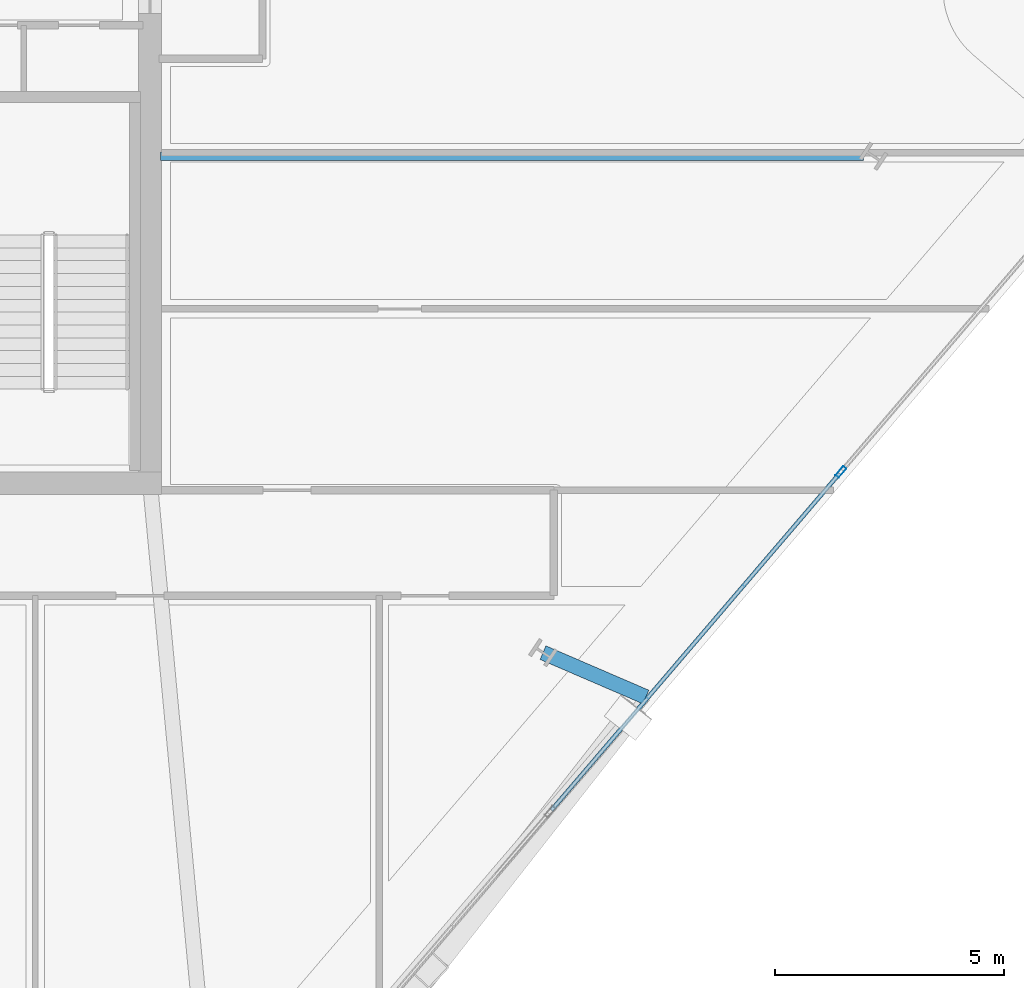
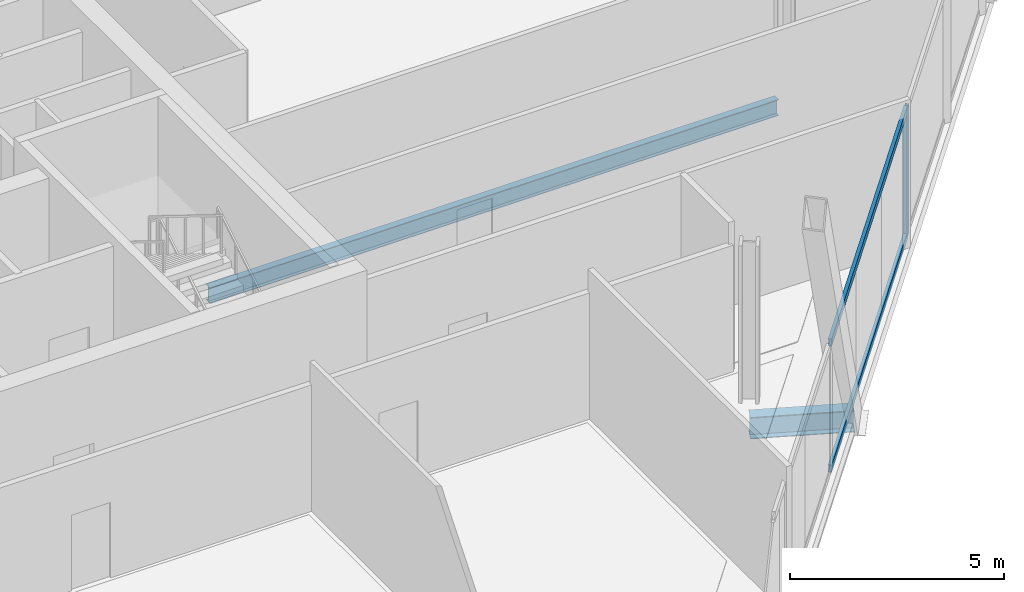
# One storey, part 9 of 26: 3 members, 2 beams, 1 element without a shape of its own.
"""IFC4 building model written with IfcOpenShell, lengths in metres."""

from ifc_helpers import new_model, si_unit, direction, frame, origin, origin_2d, place, context, subcontext, project, spatial, hollow_rectangle, i_section, extrude, material, material_profile, profile_set, type_object, element, aggregate, save


model = new_model("IFC4")

# Units and contexts
model_context = context("Model", 3, precision=1e-05, world=origin(), true_north=direction((0.0, 1.0)))
body_context = subcontext(model_context, "Body", "Model", "MODEL_VIEW")
ifc_project = project(units=[si_unit("LENGTHUNIT", "METRE"), si_unit("AREAUNIT", "SQUARE_METRE"), si_unit("VOLUMEUNIT", "CUBIC_METRE"), si_unit("PLANEANGLEUNIT", "RADIAN"), si_unit("MASSUNIT", "GRAM", prefix="KILO")], contexts=[model_context])

# Site, building, storey
site_placement = place(None, origin())
site = spatial("IfcSite", under=ifc_project, at=site_placement, CompositionType="ELEMENT")
building_placement = place(site_placement, origin())
building = spatial("IfcBuilding", under=site, at=building_placement, Name="Haldenkirk Collegiate Tower", CompositionType="ELEMENT")
storey_placement = place(building_placement, frame((0.0, 0.0, 193.949951171875)))
storey = spatial("IfcBuildingStorey", under=building, at=storey_placement, Name="L48", CompositionType="ELEMENT", Elevation=193.949951171875)

# Beams
ifc_material_1 = material(Name="Steel ASTM A992 Grade 50", Category="steel")
ifc_material_profile_1 = material_profile(ifc_material_1, i_section(OverallWidth=0.324951171875, OverallDepth=0.615966796875, WebThickness=0.013916015625, FlangeThickness=0.021484375, at=origin_2d()), Name="W24X117")
ifc_profile_set_1 = profile_set([ifc_material_profile_1], Name="Steel ASTM A992 Grade 50")
beam_type_1 = type_object("IfcBeamType", Name="BM-GIRDER-W24X117", PredefinedType="BEAM", material=ifc_profile_set_1)
beam_1_placement = place(storey_placement, frame((53.564453125, 14.30810546875, -0.718017578125), z_axis=(0.918320954013, -0.395836614552, 0.0), x_axis=(0.395836614552, 0.918320954013, 0.0)))
element("IfcBeam", 1, at=beam_1_placement, inside=storey, type_object=beam_type_1, Name="L48 facade lookout girder 06", PredefinedType="BEAM", context=body_context, shape_type="SweptSolid", body=[
    extrude(i_section(OverallWidth=0.324951171875, OverallDepth=0.615966796875, WebThickness=0.013916015625, FlangeThickness=0.021484375, at=origin_2d()), origin(), (0.0, 0.0, 1.0), 2.4423828125),
])
ifc_material_profile_2 = material_profile(ifc_material_1, i_section(OverallWidth=0.18994140625, OverallDepth=0.45703125, WebThickness=0.009033203125, FlangeThickness=0.014404296875, at=origin_2d()), Name="W18X50")
ifc_profile_set_2 = profile_set([ifc_material_profile_2], Name="Steel ASTM A992 Grade 50")
beam_type_2 = type_object("IfcBeamType", Name="BM-JOIST-W18X50", PredefinedType="JOIST", material=ifc_profile_set_2)
beam_2_placement = place(storey_placement, frame((60.548828125, 25.12646484375, -0.638427734375), z_axis=(-1.0, 0.0, 0.0), x_axis=(0.0, -1.0, 0.0)))
element("IfcBeam", 2, at=beam_2_placement, inside=storey, type_object=beam_type_2, Name="L48 composite floor joist 07", PredefinedType="JOIST", context=body_context, shape_type="SweptSolid", body=[
    extrude(i_section(OverallWidth=0.18994140625, OverallDepth=0.45703125, WebThickness=0.009033203125, FlangeThickness=0.014404296875, at=origin_2d()), origin(), (0.0, 0.0, 1.0), 15.31884765625),
])

# Curtain wall, members
ifc_material_2 = material(Name="Anodised architectural bronze aluminium", Category="aluminium")
curtain_wall_type = type_object("IfcCurtainWallType", Name="CW-SYS4-SKYGARDEN", PredefinedType="USERDEFINED", material=ifc_material_2)
curtain_wall_placement = place(storey_placement, origin())
curtain_wall = element("IfcCurtainWall", 3, at=curtain_wall_placement, inside=storey, type_object=curtain_wall_type, Name="L48 Sky-garden tall bronze curtain wall", ObjectType="UNITISED CURTAIN WALL", PredefinedType="USERDEFINED")
ifc_material_profile_3 = material_profile(ifc_material_2, hollow_rectangle(XDim=0.090087890625, YDim=0.260009765625, WallThickness=0.0048828125, at=origin_2d()), Name="CW-MUL-04")
ifc_profile_set_3 = profile_set([ifc_material_profile_3], Name="Anodised architectural bronze aluminium")
member_type_1 = type_object("IfcMemberType", Name="CW-MUL-04", PredefinedType="MULLION", material=ifc_profile_set_3)
member_1_placement = place(storey_placement, frame((60.05810546875, 18.247802734375, 0.0), z_axis=(0.0, 0.0, 1.0), x_axis=(0.759836934452, -0.650113707779, 0.0)))
member_1 = element("IfcMember", 4, at=member_1_placement, type_object=member_type_1, Name="CW-04 mullion 2", PredefinedType="MULLION", context=body_context, shape_type="SweptSolid", body=[
    extrude(hollow_rectangle(XDim=0.090087890625, YDim=0.260009765625, WallThickness=0.0048828125, at=origin_2d()), origin(), (0.0, 0.0, 1.0), 3.677978515625),
])
ifc_material_profile_4 = material_profile(ifc_material_2, hollow_rectangle(XDim=0.090087890625, YDim=0.2099609375, WallThickness=0.0048828125, at=origin_2d()), Name="CW-TRN-04")
ifc_profile_set_4 = profile_set([ifc_material_profile_4], Name="Anodised architectural bronze aluminium")
member_type_2 = type_object("IfcMemberType", Name="CW-TRN-04", PredefinedType="USERDEFINED", material=ifc_profile_set_4)
member_2_placement = place(storey_placement, frame((60.02880859375, 18.213623046875, 0.045166015625), z_axis=(-0.650120941203, -0.759830745501, 0.0), x_axis=(0.759830745501, -0.650120941203, 0.0)))
member_2 = element("IfcMember", 5, at=member_2_placement, type_object=member_type_2, Name="CW-04 transom 2.1", ObjectType="TRANSOM", PredefinedType="USERDEFINED", context=body_context, shape_type="SweptSolid", body=[
    extrude(hollow_rectangle(XDim=0.090087890625, YDim=0.2099609375, WallThickness=0.0048828125, at=origin_2d()), origin(), (0.0, 0.0, 1.0), 9.66015625),
])
member_3_placement = place(storey_placement, frame((60.02880859375, 18.213623046875, 3.633056640625), z_axis=(-0.650120941203, -0.759830745501, 0.0), x_axis=(0.759830745501, -0.650120941203, 0.0)))
member_3 = element("IfcMember", 6, at=member_3_placement, type_object=member_type_2, Name="CW-04 transom 2.2", ObjectType="TRANSOM", PredefinedType="USERDEFINED", context=body_context, shape_type="SweptSolid", body=[
    extrude(hollow_rectangle(XDim=0.090087890625, YDim=0.2099609375, WallThickness=0.0048828125, at=origin_2d()), origin(), (0.0, 0.0, 1.0), 9.66015625),
])
aggregate(curtain_wall, [member_1, member_2, member_3])

save(model, "model.ifc")
